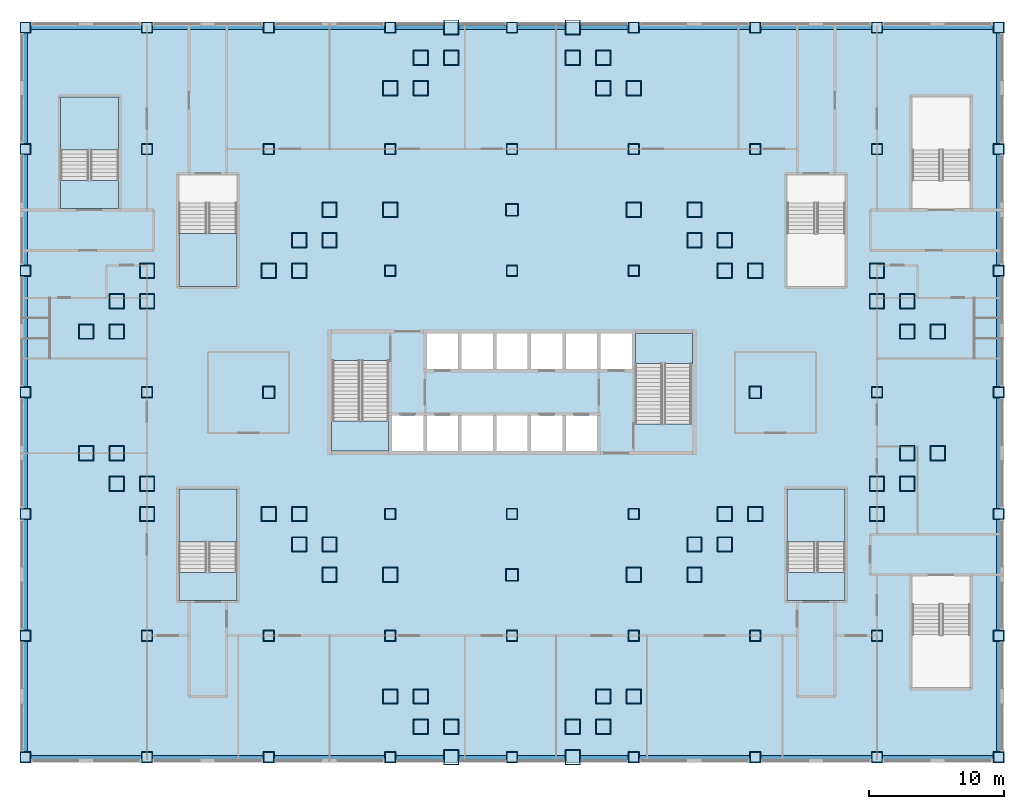
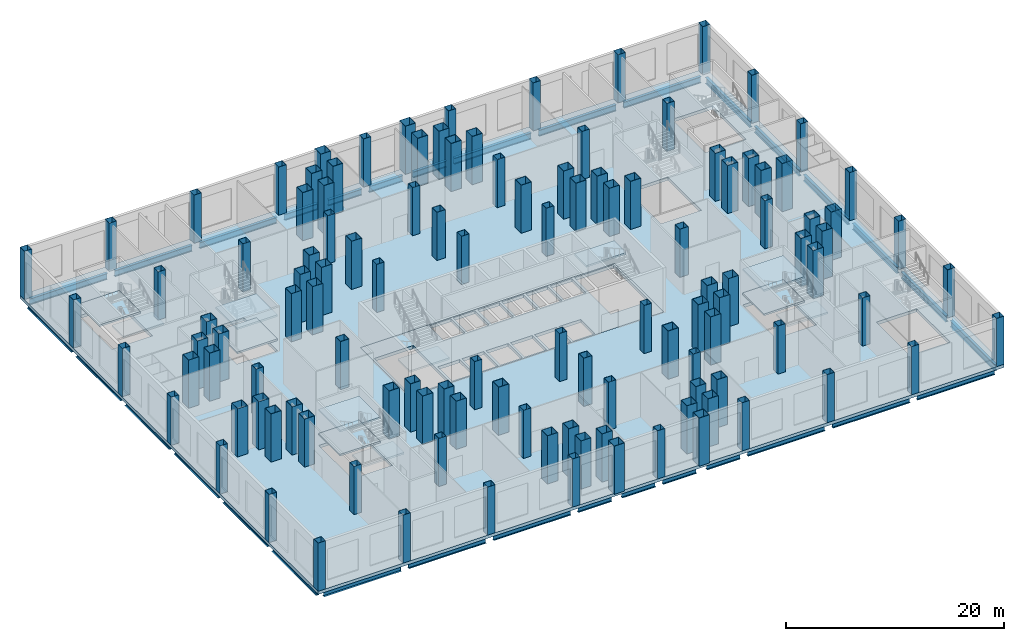
# One storey, part 1 of 27: 118 columns, 32 beams, 14 slabs, 6 elements without a shape of their own.
"""IFC4 building model written with IfcOpenShell, lengths in metres."""

from ifc_helpers import new_model, si_unit, direction, frame, origin, origin_2d, place, context, subcontext, project, spatial, polyline, hollow_rectangle, i_section, outline, extrude, material, layer, layer_set, material_profile, profile_set, type_object, element, aggregate, save


model = new_model("IFC4")

# Units and contexts
model_context = context("Model", 3, precision=1e-05, world=origin(), true_north=direction((0.0, 1.0)))
body_context = subcontext(model_context, "Body", "Model", "MODEL_VIEW")
ifc_project = project(units=[si_unit("LENGTHUNIT", "METRE"), si_unit("AREAUNIT", "SQUARE_METRE"), si_unit("VOLUMEUNIT", "CUBIC_METRE"), si_unit("PLANEANGLEUNIT", "RADIAN"), si_unit("MASSUNIT", "GRAM", prefix="KILO")], contexts=[model_context])

# Site, building, storey
site_placement = place(None, origin())
site = spatial("IfcSite", under=ifc_project, at=site_placement, CompositionType="ELEMENT")
building_placement = place(site_placement, origin())
building = spatial("IfcBuilding", under=site, at=building_placement, Name="Caravel Reach Hotel and Residences", CompositionType="ELEMENT")
storey_placement = place(building_placement, frame((0.0, 0.0, 6.60009765625)))
storey = spatial("IfcBuildingStorey", under=building, at=storey_placement, Name="L01", CompositionType="ELEMENT", Elevation=6.60009765625)

# Columns
ifc_material_1 = material(Name="Concrete-filled steel tube Q390B with Concrete C70 infill", Category="concrete")
ifc_material_profile_1 = material_profile(ifc_material_1, hollow_rectangle(XDim=1.10009765625, YDim=1.10009765625, WallThickness=0.035888671875, at=origin_2d()), Name="RHS 1100x1100x36")
ifc_profile_set_1 = profile_set([ifc_material_profile_1], Name="Concrete-filled steel tube Q390B with Concrete C70 infill")
column_type_1 = type_object("IfcColumnType", Name="CFT 1100x1100 Q390B C70", PredefinedType="COLUMN", material=ifc_profile_set_1)
for number, where, z_axis, x_axis, name in (
    (1, (22.5, 4.5, 0.0), (0.0, 0.0, 1.0), (1.0, 0.0, 0.0), "C1 column"),
    (2, (24.75, 4.5, 0.0), (0.0, 0.0, 1.0), (1.0, 0.0, 0.0), "C1 column"),
    (3, (24.75, 2.25, 0.0), (0.0, 0.0, 1.0), (1.0, 0.0, 0.0), "C1 column"),
    (4, (27.0, 2.25, 0.0), (0.0, 0.0, 1.0), (1.0, 0.0, 0.0), "C1 column"),
    (5, (27.0, 0.0, 0.0), (0.0, 0.0, 1.0), (1.0, 0.0, 0.0), "C1 column"),
    (6, (36.0, 0.0, 0.0), (0.0, 0.0, 1.0), (1.0, 0.0, 0.0), "C1 column"),
    (7, (36.0, 2.25, 0.0), (0.0, 0.0, 1.0), (1.0, 0.0, 0.0), "C1 column"),
    (8, (38.25, 2.25, 0.0), (0.0, 0.0, 1.0), (1.0, 0.0, 0.0), "C1 column"),
    (9, (38.25, 4.5, 0.0), (0.0, 0.0, 1.0), (1.0, 0.0, 0.0), "C1 column"),
    (10, (40.5, 4.5, 0.0), (0.0, 0.0, 1.0), (1.0, 0.0, 0.0), "C1 column"),
    (11, (40.5, 13.5, 0.0), (0.0, 0.0, 1.0), (1.0, 0.0, 0.0), "C1 column"),
    (12, (45.0, 13.5, 0.0), (0.0, 0.0, 1.0), (1.0, 0.0, 0.0), "C1 column"),
    (13, (45.0, 15.75, 0.0), (0.0, 0.0, 1.0), (1.0, 0.0, 0.0), "C1 column"),
    (14, (47.25, 15.75, 0.0), (0.0, 0.0, 1.0), (1.0, 0.0, 0.0), "C1 column"),
    (15, (47.25, 18.0, 0.0), (0.0, 0.0, 1.0), (1.0, 0.0, 0.0), "C1 column"),
    (16, (49.5, 18.0, 0.0), (0.0, 0.0, 1.0), (1.0, 0.0, 0.0), "C1 column"),
    (17, (58.5, 18.0, 0.0), (0.0, 0.0, 1.0), (1.0, 0.0, 0.0), "C1 column"),
    (18, (58.5, 20.25, 0.0), (0.0, 0.0, 1.0), (1.0, 0.0, 0.0), "C1 column"),
    (19, (60.75, 20.25, 0.0), (0.0, 0.0, 1.0), (1.0, 0.0, 0.0), "C1 column"),
    (20, (60.75, 22.5, 0.0), (0.0, 0.0, 1.0), (1.0, 0.0, 0.0), "C1 column"),
    (21, (63.0, 22.5, 0.0), (0.0, 0.0, 1.0), (1.0, 0.0, 0.0), "C1 column"),
    (22, (63.0, 31.5, 0.0), (0.0, 0.0, 1.0), (1.0, 0.0, 0.0), "C1 column"),
    (23, (60.75, 31.5, 0.0), (0.0, 0.0, 1.0), (1.0, 0.0, 0.0), "C1 column"),
    (24, (60.75, 33.75, 0.0), (0.0, 0.0, 1.0), (1.0, 0.0, 0.0), "C1 column"),
    (25, (58.5, 33.75, 0.0), (0.0, 0.0, 1.0), (1.0, 0.0, 0.0), "C1 column"),
    (26, (58.5, 36.0, 0.0), (0.0, 0.0, 1.0), (1.0, 0.0, 0.0), "C1 column"),
    (27, (49.5, 36.0, 0.0), (0.0, 0.0, 1.0), (1.0, 0.0, 0.0), "C1 column"),
    (28, (47.25, 36.0, 0.0), (0.0, 0.0, 1.0), (1.0, 0.0, 0.0), "C1 column"),
    (29, (47.25, 38.25, 0.0), (0.0, 0.0, 1.0), (1.0, 0.0, 0.0), "C1 column"),
    (30, (45.0, 38.25, 0.0), (0.0, 0.0, 1.0), (1.0, 0.0, 0.0), "C1 column"),
    (31, (45.0, 40.5, 0.0), (0.0, 0.0, 1.0), (1.0, 0.0, 0.0), "C1 column"),
    (32, (40.5, 40.5, 0.0), (0.0, 0.0, 1.0), (1.0, 0.0, 0.0), "C1 column"),
    (33, (40.5, 49.5, 0.0), (0.0, 0.0, 1.0), (1.0, 0.0, 0.0), "C1 column"),
    (34, (38.25, 49.5, 0.0), (0.0, 0.0, 1.0), (1.0, 0.0, 0.0), "C1 column"),
    (35, (38.25, 51.75, 0.0), (0.0, 0.0, 1.0), (1.0, 0.0, 0.0), "C1 column"),
    (36, (36.0, 51.75, 0.0), (0.0, 0.0, 1.0), (1.0, 0.0, 0.0), "C1 column"),
    (37, (36.0, 54.0, 0.0), (0.0, 0.0, 1.0), (1.0, 0.0, 0.0), "C1 column"),
    (38, (27.0, 54.0, 0.0), (0.0, 0.0, 1.0), (1.0, 0.0, 0.0), "C1 column"),
    (39, (27.0, 51.75, 0.0), (0.0, 0.0, 1.0), (1.0, 0.0, 0.0), "C1 column"),
    (40, (24.75, 51.75, 0.0), (0.0, 0.0, 1.0), (1.0, 0.0, 0.0), "C1 column"),
    (41, (24.75, 49.5, 0.0), (0.0, 0.0, 1.0), (1.0, 0.0, 0.0), "C1 column"),
    (42, (22.5, 49.5, 0.0), (0.0, 0.0, 1.0), (1.0, 0.0, 0.0), "C1 column"),
    (43, (22.5, 40.5, 0.0), (0.0, 0.0, 1.0), (1.0, 0.0, 0.0), "C1 column"),
    (44, (18.0, 40.5, 0.0), (0.0, 0.0, 1.0), (1.0, 0.0, 0.0), "C1 column"),
    (45, (18.0, 38.25, 0.0), (0.0, 0.0, 1.0), (1.0, 0.0, 0.0), "C1 column"),
    (46, (15.75, 38.25, 0.0), (0.0, 0.0, 1.0), (1.0, 0.0, 0.0), "C1 column"),
    (47, (15.75, 36.0, 0.0), (0.0, 0.0, 1.0), (1.0, 0.0, 0.0), "C1 column"),
    (48, (13.5, 36.0, 0.0), (0.0, 0.0, 1.0), (1.0, 0.0, 0.0), "C1 column"),
    (49, (4.5, 36.0, 0.0), (0.0, 0.0, 1.0), (1.0, 0.0, 0.0), "C1 column"),
    (50, (4.5, 33.75, 0.0), (0.0, 0.0, 1.0), (1.0, 0.0, 0.0), "C1 column"),
    (51, (2.25, 33.75, 0.0), (0.0, 0.0, 1.0), (1.0, 0.0, 0.0), "C1 column"),
    (52, (2.25, 31.5, 0.0), (0.0, 0.0, 1.0), (1.0, 0.0, 0.0), "C1 column"),
    (53, (0.0, 31.5, 0.0), (0.0, 0.0, 1.0), (1.0, 0.0, 0.0), "C1 column"),
    (54, (0.0, 22.5, 0.0), (0.0, 0.0, 1.0), (1.0, 0.0, 0.0), "C1 column"),
    (55, (2.25, 22.5, 0.0), (0.0, 0.0, 1.0), (1.0, 0.0, 0.0), "C1 column"),
    (56, (2.25, 20.25, 0.0), (0.0, 0.0, 1.0), (1.0, 0.0, 0.0), "C1 column"),
    (57, (4.5, 20.25, 0.0), (0.0, 0.0, 1.0), (1.0, 0.0, 0.0), "C1 column"),
    (58, (4.5, 18.0, 0.0), (0.0, 0.0, 1.0), (1.0, 0.0, 0.0), "C1 column"),
    (59, (13.5, 18.0, 0.0), (0.0, 0.0, 1.0), (1.0, 0.0, 0.0), "C1 column"),
    (60, (15.75, 18.0, 0.0), (0.0, 0.0, 1.0), (1.0, 0.0, 0.0), "C1 column"),
    (61, (15.75, 15.75, 0.0), (0.0, 0.0, 1.0), (1.0, 0.0, 0.0), "C1 column"),
    (62, (18.0, 15.75, 0.0), (0.0, 0.0, 1.0), (1.0, 0.0, 0.0), "C1 column"),
    (63, (18.0, 13.5, 0.0), (0.0, 0.0, 1.0), (1.0, 0.0, 0.0), "C1 column"),
    (64, (22.5, 13.5, 0.0), (0.0, 0.0, 1.0), (1.0, 0.0, 0.0), "C1 column"),
):
    element("IfcColumn", number, at=place(storey_placement, frame(where, z_axis=z_axis, x_axis=x_axis)), inside=storey, type_object=column_type_1, Name=name, PredefinedType="COLUMN", context=body_context, shape_type="SweptSolid", body=[
        extrude(hollow_rectangle(XDim=1.10009765625, YDim=1.10009765625, WallThickness=0.035888671875, at=origin_2d()), origin(), (0.0, 0.0, 1.0), 5.39990234375),
    ])
ifc_material_2 = material(Name="Concrete-filled steel tube Q390B with Concrete C70 infill", Category="concrete")
ifc_material_profile_2 = material_profile(ifc_material_2, hollow_rectangle(XDim=0.800048828125, YDim=0.800048828125, WallThickness=0.02490234375, at=origin_2d()), Name="RHS 800x800x25")
ifc_profile_set_2 = profile_set([ifc_material_profile_2], Name="Concrete-filled steel tube Q390B with Concrete C70 infill")
column_type_2 = type_object("IfcColumnType", Name="CFT 800x800 Q390B C70", PredefinedType="COLUMN", material=ifc_profile_set_2)
for number, where, z_axis, x_axis, name in (
    (65, (-4.5, 0.0, 0.0), (0.0, 0.0, 1.0), (1.0, 0.0, 0.0), "C4 column"),
    (66, (-4.5, 9.0, 0.0), (0.0, 0.0, 1.0), (1.0, 0.0, 0.0), "C4 column"),
    (67, (-4.5, 18.0, 0.0), (0.0, 0.0, 1.0), (1.0, 0.0, 0.0), "C4 column"),
    (68, (-4.5, 27.0, 0.0), (0.0, 0.0, 1.0), (1.0, 0.0, 0.0), "C4 column"),
    (69, (-4.5, 36.0, 0.0), (0.0, 0.0, 1.0), (1.0, 0.0, 0.0), "C4 column"),
    (70, (-4.5, 45.0, 0.0), (0.0, 0.0, 1.0), (1.0, 0.0, 0.0), "C4 column"),
    (71, (-4.5, 54.0, 0.0), (0.0, 0.0, 1.0), (1.0, 0.0, 0.0), "C4 column"),
    (72, (4.5, 0.0, 0.0), (0.0, 0.0, 1.0), (1.0, 0.0, 0.0), "C4 column"),
    (73, (4.5, 54.0, 0.0), (0.0, 0.0, 1.0), (1.0, 0.0, 0.0), "C4 column"),
    (74, (13.5, 0.0, 0.0), (0.0, 0.0, 1.0), (1.0, 0.0, 0.0), "C4 column"),
    (75, (13.5, 54.0, 0.0), (0.0, 0.0, 1.0), (1.0, 0.0, 0.0), "C4 column"),
    (76, (22.5, 0.0, 0.0), (0.0, 0.0, 1.0), (1.0, 0.0, 0.0), "C4 column"),
    (77, (22.5, 54.0, 0.0), (0.0, 0.0, 1.0), (1.0, 0.0, 0.0), "C4 column"),
    (78, (31.5, 0.0, 0.0), (0.0, 0.0, 1.0), (1.0, 0.0, 0.0), "C4 column"),
    (79, (31.5, 54.0, 0.0), (0.0, 0.0, 1.0), (1.0, 0.0, 0.0), "C4 column"),
    (80, (40.5, 0.0, 0.0), (0.0, 0.0, 1.0), (1.0, 0.0, 0.0), "C4 column"),
    (81, (40.5, 54.0, 0.0), (0.0, 0.0, 1.0), (1.0, 0.0, 0.0), "C4 column"),
    (82, (49.5, 0.0, 0.0), (0.0, 0.0, 1.0), (1.0, 0.0, 0.0), "C4 column"),
    (83, (49.5, 54.0, 0.0), (0.0, 0.0, 1.0), (1.0, 0.0, 0.0), "C4 column"),
    (84, (58.5, 0.0, 0.0), (0.0, 0.0, 1.0), (1.0, 0.0, 0.0), "C4 column"),
    (85, (58.5, 54.0, 0.0), (0.0, 0.0, 1.0), (1.0, 0.0, 0.0), "C4 column"),
    (86, (67.5, 0.0, 0.0), (0.0, 0.0, 1.0), (1.0, 0.0, 0.0), "C4 column"),
    (87, (67.5, 9.0, 0.0), (0.0, 0.0, 1.0), (1.0, 0.0, 0.0), "C4 column"),
    (88, (67.5, 18.0, 0.0), (0.0, 0.0, 1.0), (1.0, 0.0, 0.0), "C4 column"),
    (89, (67.5, 27.0, 0.0), (0.0, 0.0, 1.0), (1.0, 0.0, 0.0), "C4 column"),
    (90, (67.5, 36.0, 0.0), (0.0, 0.0, 1.0), (1.0, 0.0, 0.0), "C4 column"),
    (91, (67.5, 45.0, 0.0), (0.0, 0.0, 1.0), (1.0, 0.0, 0.0), "C4 column"),
    (92, (67.5, 54.0, 0.0), (0.0, 0.0, 1.0), (1.0, 0.0, 0.0), "C4 column"),
    (93, (4.5, 9.0, 0.0), (0.0, 0.0, 1.0), (1.0, 0.0, 0.0), "C4 column"),
    (94, (4.5, 27.0, 0.0), (0.0, 0.0, 1.0), (1.0, 0.0, 0.0), "C4 column"),
    (95, (4.5, 45.0, 0.0), (0.0, 0.0, 1.0), (1.0, 0.0, 0.0), "C4 column"),
    (96, (13.5, 9.0, 0.0), (0.0, 0.0, 1.0), (1.0, 0.0, 0.0), "C4 column"),
    (97, (13.5, 45.0, 0.0), (0.0, 0.0, 1.0), (1.0, 0.0, 0.0), "C4 column"),
    (98, (22.5, 9.0, 0.0), (0.0, 0.0, 1.0), (1.0, 0.0, 0.0), "C4 column"),
    (99, (22.5, 18.0, 0.0), (0.0, 0.0, 1.0), (1.0, 0.0, 0.0), "C4 column"),
    (100, (22.5, 36.0, 0.0), (0.0, 0.0, 1.0), (1.0, 0.0, 0.0), "C4 column"),
    (101, (22.5, 45.0, 0.0), (0.0, 0.0, 1.0), (1.0, 0.0, 0.0), "C4 column"),
    (102, (31.5, 9.0, 0.0), (0.0, 0.0, 1.0), (1.0, 0.0, 0.0), "C4 column"),
    (103, (31.5, 18.0, 0.0), (0.0, 0.0, 1.0), (1.0, 0.0, 0.0), "C4 column"),
    (104, (31.5, 36.0, 0.0), (0.0, 0.0, 1.0), (1.0, 0.0, 0.0), "C4 column"),
    (105, (31.5, 45.0, 0.0), (0.0, 0.0, 1.0), (1.0, 0.0, 0.0), "C4 column"),
    (106, (40.5, 9.0, 0.0), (0.0, 0.0, 1.0), (1.0, 0.0, 0.0), "C4 column"),
    (107, (40.5, 18.0, 0.0), (0.0, 0.0, 1.0), (1.0, 0.0, 0.0), "C4 column"),
    (108, (40.5, 36.0, 0.0), (0.0, 0.0, 1.0), (1.0, 0.0, 0.0), "C4 column"),
    (109, (40.5, 45.0, 0.0), (0.0, 0.0, 1.0), (1.0, 0.0, 0.0), "C4 column"),
    (110, (49.5, 9.0, 0.0), (0.0, 0.0, 1.0), (1.0, 0.0, 0.0), "C4 column"),
    (111, (49.5, 45.0, 0.0), (0.0, 0.0, 1.0), (1.0, 0.0, 0.0), "C4 column"),
    (112, (58.5, 9.0, 0.0), (0.0, 0.0, 1.0), (1.0, 0.0, 0.0), "C4 column"),
    (113, (58.5, 27.0, 0.0), (0.0, 0.0, 1.0), (1.0, 0.0, 0.0), "C4 column"),
    (114, (58.5, 45.0, 0.0), (0.0, 0.0, 1.0), (1.0, 0.0, 0.0), "C4 column"),
):
    element("IfcColumn", number, at=place(storey_placement, frame(where, z_axis=z_axis, x_axis=x_axis)), inside=storey, type_object=column_type_2, Name=name, PredefinedType="COLUMN", context=body_context, shape_type="SweptSolid", body=[
        extrude(hollow_rectangle(XDim=0.800048828125, YDim=0.800048828125, WallThickness=0.02490234375, at=origin_2d()), origin(), (0.0, 0.0, 1.0), 5.39990234375),
    ])
ifc_material_3 = material(Name="Concrete-filled steel tube Q390B with Concrete C70 infill", Category="concrete")
ifc_material_profile_3 = material_profile(ifc_material_3, hollow_rectangle(XDim=0.89990234375, YDim=0.89990234375, WallThickness=0.028076171875, at=origin_2d()), Name="RHS 900x900x28")
ifc_profile_set_3 = profile_set([ifc_material_profile_3], Name="Concrete-filled steel tube Q390B with Concrete C70 infill")
column_type_3 = type_object("IfcColumnType", Name="CFT 900x900 Q390B C70", PredefinedType="COLUMN", material=ifc_profile_set_3)
for number, where, z_axis, x_axis, name in (
    (115, (31.5, 40.5, 0.0), (0.0, 0.0, 1.0), (1.0, 0.0, 0.0), "C3 column"),
    (116, (31.5, 13.5, 0.0), (0.0, 0.0, 1.0), (1.0, 0.0, 0.0), "C3 column"),
    (117, (13.5, 27.0, 0.0), (0.0, 0.0, 1.0), (1.0, 0.0, 0.0), "C3 column"),
    (118, (49.5, 27.0, 0.0), (0.0, 0.0, 1.0), (1.0, 0.0, 0.0), "C3 column"),
):
    element("IfcColumn", number, at=place(storey_placement, frame(where, z_axis=z_axis, x_axis=x_axis)), inside=storey, type_object=column_type_3, Name=name, PredefinedType="COLUMN", context=body_context, shape_type="SweptSolid", body=[
        extrude(hollow_rectangle(XDim=0.89990234375, YDim=0.89990234375, WallThickness=0.028076171875, at=origin_2d()), origin(), (0.0, 0.0, 1.0), 5.39990234375),
    ])

# Beams
ifc_material_4 = material(Name="Structural steel Q355B", Category="steel")
ifc_material_profile_4 = material_profile(ifc_material_4, i_section(OverallWidth=0.300048828125, OverallDepth=0.699951171875, WebThickness=0.012939453125, FlangeThickness=0.02392578125, FilletRadius=0.01806640625, at=origin_2d()), Name="HN 700x300x13x24")
ifc_profile_set_4 = profile_set([ifc_material_profile_4], Name="Structural steel Q355B")
beam_type = type_object("IfcBeamType", Name="Spandrel beam HN 700x300x13x24", PredefinedType="SPANDREL", material=ifc_profile_set_4)
for number, where, z_axis, x_axis, name in (
    (119, (-4.10009765625, 0.0, -0.7001953125), (1.0, 0.0, 0.0), (0.0, 1.0, 0.0), "SP2 HN 700x300x13x24"),
    (120, (4.89990234375, 0.0, -0.7001953125), (1.0, 0.0, 0.0), (0.0, 1.0, 0.0), "SP2 HN 700x300x13x24"),
    (121, (13.89990234375, 0.0, -0.7001953125), (1.0, 0.0, 0.0), (0.0, 1.0, 0.0), "SP2 HN 700x300x13x24"),
):
    element("IfcBeam", number, at=place(storey_placement, frame(where, z_axis=z_axis, x_axis=x_axis)), inside=storey, type_object=beam_type, Name=name, PredefinedType="SPANDREL", context=body_context, shape_type="SweptSolid", body=[
        extrude(i_section(OverallWidth=0.300048828125, OverallDepth=0.699951171875, WebThickness=0.012939453125, FlangeThickness=0.02392578125, FilletRadius=0.01806640625, at=origin_2d()), origin(), (0.0, 0.0, 1.0), 8.2001953125),
    ])
for number, where, z_axis, x_axis, name in (
    (122, (22.89990234375, 0.0, -0.7001953125), (1.0, 0.0, 0.0), (0.0, 1.0, 0.0), "SP2 HN 700x300x13x24"),
    (123, (27.550048828125, 0.0, -0.7001953125), (1.0, 0.0, 0.0), (0.0, 1.0, 0.0), "SP2 HN 700x300x13x24"),
    (124, (31.89990234375, 0.0, -0.7001953125), (1.0, 0.0, 0.0), (0.0, 1.0, 0.0), "SP2 HN 700x300x13x24"),
    (125, (36.550048828125, 0.0, -0.7001953125), (1.0, 0.0, 0.0), (0.0, 1.0, 0.0), "SP2 HN 700x300x13x24"),
):
    element("IfcBeam", number, at=place(storey_placement, frame(where, z_axis=z_axis, x_axis=x_axis)), inside=storey, type_object=beam_type, Name=name, PredefinedType="SPANDREL", context=body_context, shape_type="SweptSolid", body=[
        extrude(i_section(OverallWidth=0.300048828125, OverallDepth=0.699951171875, WebThickness=0.012939453125, FlangeThickness=0.02392578125, FilletRadius=0.01806640625, at=origin_2d()), origin(), (0.0, 0.0, 1.0), 3.550048828125),
    ])
for number, where, z_axis, x_axis, name in (
    (126, (40.89990234375, 0.0, -0.7001953125), (1.0, 0.0, 0.0), (0.0, 1.0, 0.0), "SP2 HN 700x300x13x24"),
    (127, (49.89990234375, 0.0, -0.7001953125), (1.0, 0.0, 0.0), (0.0, 1.0, 0.0), "SP2 HN 700x300x13x24"),
    (128, (58.89990234375, 0.0, -0.7001953125), (1.0, 0.0, 0.0), (0.0, 1.0, 0.0), "SP2 HN 700x300x13x24"),
    (129, (67.5, 0.39990234375, -0.7001953125), (0.0, 1.0, 0.0), (-1.0, 0.0, 0.0), "SP2 HN 700x300x13x24"),
    (130, (67.5, 9.39990234375, -0.7001953125), (0.0, 1.0, 0.0), (-1.0, 0.0, 0.0), "SP2 HN 700x300x13x24"),
    (131, (67.5, 18.39990234375, -0.7001953125), (0.0, 1.0, 0.0), (-1.0, 0.0, 0.0), "SP2 HN 700x300x13x24"),
    (132, (67.5, 27.39990234375, -0.7001953125), (0.0, 1.0, 0.0), (-1.0, 0.0, 0.0), "SP2 HN 700x300x13x24"),
    (133, (67.5, 36.39990234375, -0.7001953125), (0.0, 1.0, 0.0), (-1.0, 0.0, 0.0), "SP2 HN 700x300x13x24"),
    (134, (67.5, 45.39990234375, -0.7001953125), (0.0, 1.0, 0.0), (-1.0, 0.0, 0.0), "SP2 HN 700x300x13x24"),
    (135, (67.10009765625, 54.0, -0.7001953125), (-1.0, 0.0, 0.0), (0.0, -1.0, 0.0), "SP2 HN 700x300x13x24"),
    (136, (58.10009765625, 54.0, -0.7001953125), (-1.0, 0.0, 0.0), (0.0, -1.0, 0.0), "SP2 HN 700x300x13x24"),
    (137, (49.10009765625, 54.0, -0.7001953125), (-1.0, 0.0, 0.0), (0.0, -1.0, 0.0), "SP2 HN 700x300x13x24"),
):
    element("IfcBeam", number, at=place(storey_placement, frame(where, z_axis=z_axis, x_axis=x_axis)), inside=storey, type_object=beam_type, Name=name, PredefinedType="SPANDREL", context=body_context, shape_type="SweptSolid", body=[
        extrude(i_section(OverallWidth=0.300048828125, OverallDepth=0.699951171875, WebThickness=0.012939453125, FlangeThickness=0.02392578125, FilletRadius=0.01806640625, at=origin_2d()), origin(), (0.0, 0.0, 1.0), 8.2001953125),
    ])
for number, where, z_axis, x_axis, name in (
    (138, (40.10009765625, 54.0, -0.7001953125), (-1.0, 0.0, 0.0), (0.0, -1.0, 0.0), "SP2 HN 700x300x13x24"),
    (139, (35.449951171875, 54.0, -0.7001953125), (-1.0, 0.0, 0.0), (0.0, -1.0, 0.0), "SP2 HN 700x300x13x24"),
    (140, (31.10009765625, 54.0, -0.7001953125), (-1.0, 0.0, 0.0), (0.0, -1.0, 0.0), "SP2 HN 700x300x13x24"),
    (141, (26.449951171875, 54.0, -0.7001953125), (-1.0, 0.0, 0.0), (0.0, -1.0, 0.0), "SP2 HN 700x300x13x24"),
):
    element("IfcBeam", number, at=place(storey_placement, frame(where, z_axis=z_axis, x_axis=x_axis)), inside=storey, type_object=beam_type, Name=name, PredefinedType="SPANDREL", context=body_context, shape_type="SweptSolid", body=[
        extrude(i_section(OverallWidth=0.300048828125, OverallDepth=0.699951171875, WebThickness=0.012939453125, FlangeThickness=0.02392578125, FilletRadius=0.01806640625, at=origin_2d()), origin(), (0.0, 0.0, 1.0), 3.550048828125),
    ])
for number, where, z_axis, x_axis, name in (
    (142, (22.10009765625, 54.0, -0.7001953125), (-1.0, 0.0, 0.0), (0.0, -1.0, 0.0), "SP2 HN 700x300x13x24"),
    (143, (13.10009765625, 54.0, -0.7001953125), (-1.0, 0.0, 0.0), (0.0, -1.0, 0.0), "SP2 HN 700x300x13x24"),
    (144, (4.10009765625, 54.0, -0.7001953125), (-1.0, 0.0, 0.0), (0.0, -1.0, 0.0), "SP2 HN 700x300x13x24"),
    (145, (-4.5, 53.60009765625, -0.7001953125), (0.0, -1.0, 0.0), (1.0, 0.0, 0.0), "SP2 HN 700x300x13x24"),
    (146, (-4.5, 44.60009765625, -0.7001953125), (0.0, -1.0, 0.0), (1.0, 0.0, 0.0), "SP2 HN 700x300x13x24"),
    (147, (-4.5, 35.60009765625, -0.7001953125), (0.0, -1.0, 0.0), (1.0, 0.0, 0.0), "SP2 HN 700x300x13x24"),
    (148, (-4.5, 26.60009765625, -0.7001953125), (0.0, -1.0, 0.0), (1.0, 0.0, 0.0), "SP2 HN 700x300x13x24"),
    (149, (-4.5, 17.60009765625, -0.7001953125), (0.0, -1.0, 0.0), (1.0, 0.0, 0.0), "SP2 HN 700x300x13x24"),
    (150, (-4.5, 8.60009765625, -0.7001953125), (0.0, -1.0, 0.0), (1.0, 0.0, 0.0), "SP2 HN 700x300x13x24"),
):
    element("IfcBeam", number, at=place(storey_placement, frame(where, z_axis=z_axis, x_axis=x_axis)), inside=storey, type_object=beam_type, Name=name, PredefinedType="SPANDREL", context=body_context, shape_type="SweptSolid", body=[
        extrude(i_section(OverallWidth=0.300048828125, OverallDepth=0.699951171875, WebThickness=0.012939453125, FlangeThickness=0.02392578125, FilletRadius=0.01806640625, at=origin_2d()), origin(), (0.0, 0.0, 1.0), 8.2001953125),
    ])

# Slab
ifc_material_5 = material(Name="Concrete C40", Category="concrete")
ifc_layer_1 = layer(ifc_material_5, 0.35009765625)
ifc_layer_set_1 = layer_set([ifc_layer_1], Name="Core floor slab 350 mm")
slab_type_1 = type_object("IfcSlabType", Name="Core floor slab 350 mm", PredefinedType="FLOOR", material=ifc_layer_set_1)
slab_1_placement = place(storey_placement, frame((0.0, 0.0, -0.35009765625)))
element("IfcSlab", 151, at=slab_1_placement, inside=storey, type_object=slab_type_1, Name="L01 core floor", PredefinedType="FLOOR", context=body_context, shape_type="SweptSolid", body=[
    extrude(outline(polyline([(18.0, 31.5), (45.0, 31.5), (45.0, 22.5), (18.0, 22.5), (18.0, 31.5)]), holes=[polyline([(22.625, 25.27490234375), (22.625, 22.64990234375), (24.9462890625, 22.64990234375), (24.9462890625, 25.27490234375), (22.625, 25.27490234375)]), polyline([(27.517822265625, 25.27490234375), (25.1962890625, 25.27490234375), (25.1962890625, 22.64990234375), (27.517822265625, 22.64990234375), (27.517822265625, 25.27490234375)]), polyline([(30.08935546875, 25.27490234375), (27.767822265625, 25.27490234375), (27.767822265625, 22.64990234375), (30.08935546875, 22.64990234375), (30.08935546875, 25.27490234375)]), polyline([(32.66064453125, 25.27490234375), (30.33935546875, 25.27490234375), (30.33935546875, 22.64990234375), (32.66064453125, 22.64990234375), (32.66064453125, 25.27490234375)]), polyline([(18.22509765625, 22.64990234375), (22.375, 22.64990234375), (22.375, 29.35009765625), (18.22509765625, 29.35009765625), (18.22509765625, 22.64990234375)]), polyline([(27.517822265625, 31.35009765625), (25.1962890625, 31.35009765625), (25.1962890625, 28.72509765625), (27.517822265625, 28.72509765625), (27.517822265625, 31.35009765625)]), polyline([(30.08935546875, 31.35009765625), (27.767822265625, 31.35009765625), (27.767822265625, 28.72509765625), (30.08935546875, 28.72509765625), (30.08935546875, 31.35009765625)]), polyline([(32.91064453125, 25.27490234375), (32.91064453125, 22.64990234375), (35.232177734375, 22.64990234375), (35.232177734375, 25.27490234375), (32.91064453125, 25.27490234375)]), polyline([(37.8037109375, 25.27490234375), (35.482177734375, 25.27490234375), (35.482177734375, 22.64990234375), (37.8037109375, 22.64990234375), (37.8037109375, 25.27490234375)]), polyline([(44.77490234375, 31.35009765625), (40.625, 31.35009765625), (40.625, 24.64990234375), (44.77490234375, 24.64990234375), (44.77490234375, 31.35009765625)]), polyline([(32.66064453125, 31.35009765625), (30.33935546875, 31.35009765625), (30.33935546875, 28.72509765625), (32.66064453125, 28.72509765625), (32.66064453125, 31.35009765625)]), polyline([(35.232177734375, 31.35009765625), (32.91064453125, 31.35009765625), (32.91064453125, 28.72509765625), (35.232177734375, 28.72509765625), (35.232177734375, 31.35009765625)]), polyline([(37.8037109375, 31.35009765625), (35.482177734375, 31.35009765625), (35.482177734375, 28.72509765625), (37.8037109375, 28.72509765625), (37.8037109375, 31.35009765625)]), polyline([(40.375, 31.35009765625), (38.0537109375, 31.35009765625), (38.0537109375, 28.72509765625), (40.375, 28.72509765625), (40.375, 31.35009765625)])]), origin(), (0.0, 0.0, 1.0), 0.35009765625),
])

# Stair, slab
ifc_material_6 = material(Name="Concrete C40", Category="concrete")
stair_type = type_object("IfcStairType", Name="Core stair", PredefinedType="HALF_TURN_STAIR", material=ifc_material_6)
stair_1_placement = place(storey_placement, origin())
stair_1 = element("IfcStair", 152, at=stair_1_placement, inside=storey, type_object=stair_type, Name="L01 Exit stair A", PredefinedType="HALF_TURN_STAIR")
ifc_material_7 = material(Name="Concrete C40", Category="concrete")
ifc_layer_2 = layer(ifc_material_7, 0.199951171875)
ifc_layer_set_2 = layer_set([ifc_layer_2], Name="Core stair landing")
slab_type_2 = type_object("IfcSlabType", Name="Core stair landing", PredefinedType="LANDING", material=ifc_layer_set_2)
slab_2_placement = place(storey_placement, frame((0.0, 0.0, 2.5)))
slab_2 = element("IfcSlab", 153, at=slab_2_placement, type_object=slab_type_2, Name="ST-A landing 1", PredefinedType="LANDING", context=body_context, shape_type="SweptSolid", body=[
    extrude(outline(polyline([(18.14990234375, 24.8701171875), (18.14990234375, 22.64990234375), (22.375, 22.64990234375), (22.375, 24.8701171875), (18.14990234375, 24.8701171875)])), origin(), (0.0, 0.0, 1.0), 0.199951171875),
])
aggregate(stair_1, [slab_2])

stair_2_placement = place(storey_placement, origin())
stair_2 = element("IfcStair", 154, at=stair_2_placement, inside=storey, type_object=stair_type, Name="L01 Exit stair B", PredefinedType="HALF_TURN_STAIR")
slab_3_placement = place(storey_placement, frame((0.0, 0.0, 2.5)))
slab_3 = element("IfcSlab", 155, at=slab_3_placement, type_object=slab_type_2, Name="ST-B landing 1", PredefinedType="LANDING", context=body_context, shape_type="SweptSolid", body=[
    extrude(outline(polyline([(44.85009765625, 29.1298828125), (44.85009765625, 31.35009765625), (40.625, 31.35009765625), (40.625, 29.1298828125), (44.85009765625, 29.1298828125)])), origin(), (0.0, 0.0, 1.0), 0.199951171875),
])
aggregate(stair_2, [slab_3])

# Stair, slabs
stair_3_placement = place(storey_placement, origin())
stair_3 = element("IfcStair", 156, at=stair_3_placement, inside=storey, type_object=stair_type, Name="L01 Exit stair P1", PredefinedType="HALF_TURN_STAIR")
slab_4_placement = place(storey_placement, frame((0.0, 0.0, 1.14990234375)))
slab_4 = element("IfcSlab", 157, at=slab_4_placement, type_object=slab_type_2, Name="ST-P1 landing 1", PredefinedType="LANDING", context=body_context, shape_type="SweptSolid", body=[
    extrude(outline(polyline([(6.85009765625, 38.77001953125), (6.85009765625, 34.85009765625), (11.14990234375, 34.85009765625), (11.14990234375, 38.77001953125), (6.85009765625, 38.77001953125)])), origin(), (0.0, 0.0, 1.0), 0.199951171875),
])
slab_5_placement = place(storey_placement, frame((0.0, 0.0, 3.849853515625)))
slab_5 = element("IfcSlab", 158, at=slab_5_placement, type_object=slab_type_2, Name="ST-P1 landing 3", PredefinedType="LANDING", context=body_context, shape_type="SweptSolid", body=[
    extrude(outline(polyline([(6.85009765625, 38.77001953125), (6.85009765625, 34.85009765625), (11.14990234375, 34.85009765625), (11.14990234375, 38.77001953125), (6.85009765625, 38.77001953125)])), origin(), (0.0, 0.0, 1.0), 0.199951171875),
])
aggregate(stair_3, [slab_4, slab_5])

stair_4_placement = place(storey_placement, origin())
stair_4 = element("IfcStair", 159, at=stair_4_placement, inside=storey, type_object=stair_type, Name="L01 Exit stair P3", PredefinedType="HALF_TURN_STAIR")
slab_6_placement = place(storey_placement, frame((0.0, 0.0, 1.14990234375)))
slab_6 = element("IfcSlab", 160, at=slab_6_placement, type_object=slab_type_2, Name="ST-P3 landing 1", PredefinedType="LANDING", context=body_context, shape_type="SweptSolid", body=[
    extrude(outline(polyline([(11.14990234375, 15.929931640625), (11.14990234375, 19.85009765625), (6.85009765625, 19.85009765625), (6.85009765625, 15.929931640625), (11.14990234375, 15.929931640625)])), origin(), (0.0, 0.0, 1.0), 0.199951171875),
])
slab_7_placement = place(storey_placement, frame((0.0, 0.0, 2.5)))
slab_7 = element("IfcSlab", 161, at=slab_7_placement, type_object=slab_type_2, Name="ST-P3 landing 2", PredefinedType="LANDING", context=body_context, shape_type="SweptSolid", body=[
    extrude(outline(polyline([(11.14990234375, 11.60009765625), (11.14990234375, 13.68994140625), (6.85009765625, 13.68994140625), (6.85009765625, 11.60009765625), (11.14990234375, 11.60009765625)])), origin(), (0.0, 0.0, 1.0), 0.199951171875),
])
slab_8_placement = place(storey_placement, frame((0.0, 0.0, 3.849853515625)))
slab_8 = element("IfcSlab", 162, at=slab_8_placement, type_object=slab_type_2, Name="ST-P3 landing 3", PredefinedType="LANDING", context=body_context, shape_type="SweptSolid", body=[
    extrude(outline(polyline([(11.14990234375, 15.929931640625), (11.14990234375, 19.85009765625), (6.85009765625, 19.85009765625), (6.85009765625, 15.929931640625), (11.14990234375, 15.929931640625)])), origin(), (0.0, 0.0, 1.0), 0.199951171875),
])
aggregate(stair_4, [slab_6, slab_7, slab_8])

stair_5_placement = place(storey_placement, origin())
stair_5 = element("IfcStair", 163, at=stair_5_placement, inside=storey, type_object=stair_type, Name="L01 Exit stair P4", PredefinedType="HALF_TURN_STAIR")
slab_9_placement = place(storey_placement, frame((0.0, 0.0, 1.14990234375)))
slab_9 = element("IfcSlab", 164, at=slab_9_placement, type_object=slab_type_2, Name="ST-P4 landing 1", PredefinedType="LANDING", context=body_context, shape_type="SweptSolid", body=[
    extrude(outline(polyline([(56.14990234375, 15.929931640625), (56.14990234375, 19.85009765625), (51.85009765625, 19.85009765625), (51.85009765625, 15.929931640625), (56.14990234375, 15.929931640625)])), origin(), (0.0, 0.0, 1.0), 0.199951171875),
])
slab_10_placement = place(storey_placement, frame((0.0, 0.0, 2.5)))
slab_10 = element("IfcSlab", 165, at=slab_10_placement, type_object=slab_type_2, Name="ST-P4 landing 2", PredefinedType="LANDING", context=body_context, shape_type="SweptSolid", body=[
    extrude(outline(polyline([(56.14990234375, 11.60009765625), (56.14990234375, 13.68994140625), (51.85009765625, 13.68994140625), (51.85009765625, 11.60009765625), (56.14990234375, 11.60009765625)])), origin(), (0.0, 0.0, 1.0), 0.199951171875),
])
slab_11_placement = place(storey_placement, frame((0.0, 0.0, 3.849853515625)))
slab_11 = element("IfcSlab", 166, at=slab_11_placement, type_object=slab_type_2, Name="ST-P4 landing 3", PredefinedType="LANDING", context=body_context, shape_type="SweptSolid", body=[
    extrude(outline(polyline([(56.14990234375, 15.929931640625), (56.14990234375, 19.85009765625), (51.85009765625, 19.85009765625), (51.85009765625, 15.929931640625), (56.14990234375, 15.929931640625)])), origin(), (0.0, 0.0, 1.0), 0.199951171875),
])
aggregate(stair_5, [slab_9, slab_10, slab_11])

stair_6_placement = place(storey_placement, origin())
stair_6 = element("IfcStair", 167, at=stair_6_placement, inside=storey, type_object=stair_type, Name="L01 Exit stair P5", PredefinedType="HALF_TURN_STAIR")
slab_12_placement = place(storey_placement, frame((0.0, 0.0, 1.14990234375)))
slab_12 = element("IfcSlab", 168, at=slab_12_placement, type_object=slab_type_2, Name="ST-P5 landing 1", PredefinedType="LANDING", context=body_context, shape_type="SweptSolid", body=[
    extrude(outline(polyline([(2.39990234375, 44.929931640625), (2.39990234375, 48.85009765625), (-1.89990234375, 48.85009765625), (-1.89990234375, 44.929931640625), (2.39990234375, 44.929931640625)])), origin(), (0.0, 0.0, 1.0), 0.199951171875),
])
slab_13_placement = place(storey_placement, frame((0.0, 0.0, 2.5)))
slab_13 = element("IfcSlab", 169, at=slab_13_placement, type_object=slab_type_2, Name="ST-P5 landing 2", PredefinedType="LANDING", context=body_context, shape_type="SweptSolid", body=[
    extrude(outline(polyline([(2.39990234375, 40.60009765625), (2.39990234375, 42.68994140625), (-1.89990234375, 42.68994140625), (-1.89990234375, 40.60009765625), (2.39990234375, 40.60009765625)])), origin(), (0.0, 0.0, 1.0), 0.199951171875),
])
aggregate(stair_6, [slab_12, slab_13])

# Slab
ifc_material_8 = material(Name="Concrete C40 post-tensioned", Category="concrete")
ifc_layer_3 = layer(ifc_material_8, 0.35009765625)
ifc_layer_set_3 = layer_set([ifc_layer_3], Name="Floor slab 350")
slab_type_3 = type_object("IfcSlabType", Name="Floor slab 350", PredefinedType="FLOOR", material=ifc_layer_set_3)
slab_14_placement = place(storey_placement, frame((0.0, 0.0, -0.35009765625)))
element("IfcSlab", 170, at=slab_14_placement, inside=storey, type_object=slab_type_3, Name="S3 slab L01", PredefinedType="FLOOR", context=body_context, shape_type="SweptSolid", body=[
    extrude(outline(polyline([(-4.89990234375, -0.39990234375), (-4.89990234375, 54.39990234375), (67.89990234375, 54.39990234375), (67.89990234375, -0.39990234375), (-4.89990234375, -0.39990234375)]), holes=[polyline([(45.0, 22.5), (45.0, 31.5), (18.0, 31.5), (18.0, 22.5), (45.0, 22.5)]), polyline([(11.14501953125, 41.010009765625), (6.85498046875, 41.010009765625), (6.85498046875, 34.8701171875), (11.14501953125, 34.8701171875), (11.14501953125, 41.010009765625)]), polyline([(56.14501953125, 34.8701171875), (56.14501953125, 41.010009765625), (51.85498046875, 41.010009765625), (51.85498046875, 34.8701171875), (56.14501953125, 34.8701171875)]), polyline([(11.14501953125, 19.830078125), (6.85498046875, 19.830078125), (6.85498046875, 13.68994140625), (11.14501953125, 13.68994140625), (11.14501953125, 19.830078125)]), polyline([(56.14501953125, 13.68994140625), (56.14501953125, 19.830078125), (51.85498046875, 19.830078125), (51.85498046875, 13.68994140625), (56.14501953125, 13.68994140625)]), polyline([(-1.89501953125, 42.68994140625), (2.39501953125, 42.68994140625), (2.39501953125, 48.830078125), (-1.89501953125, 48.830078125), (-1.89501953125, 42.68994140625)]), polyline([(61.10498046875, 48.830078125), (61.10498046875, 42.68994140625), (65.39501953125, 42.68994140625), (65.39501953125, 48.830078125), (61.10498046875, 48.830078125)]), polyline([(61.10498046875, 5.169921875), (65.39501953125, 5.169921875), (65.39501953125, 11.31005859375), (61.10498046875, 11.31005859375), (61.10498046875, 5.169921875)])]), origin(), (0.0, 0.0, 1.0), 0.35009765625),
])

save(model, "model.ifc")
